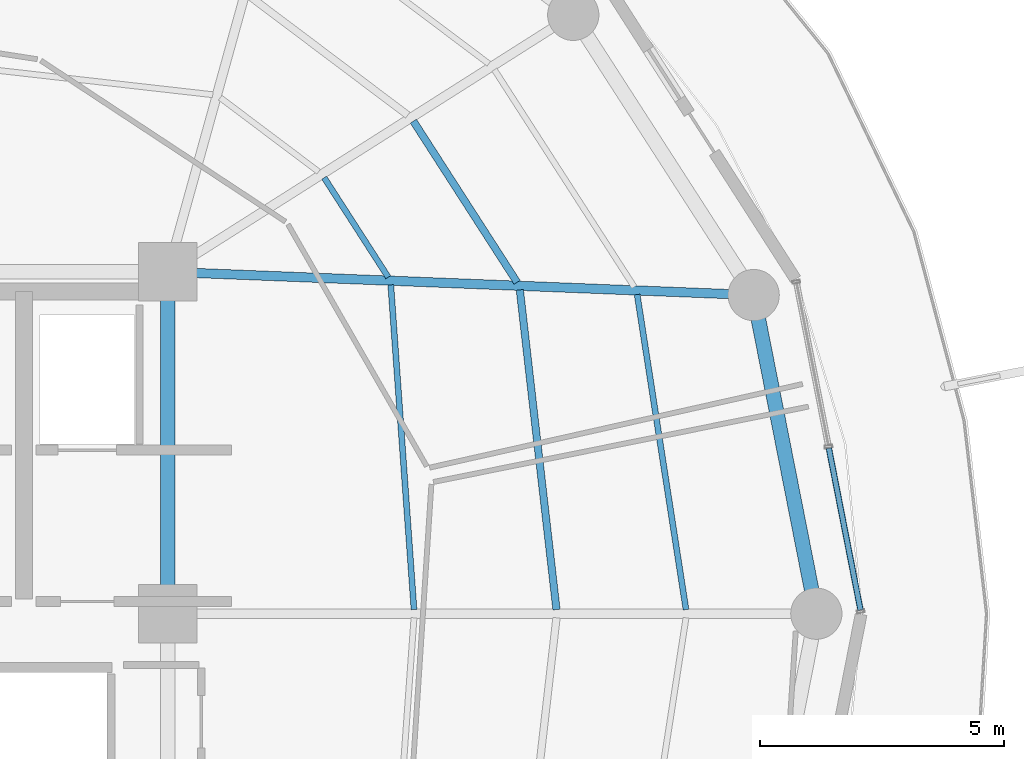
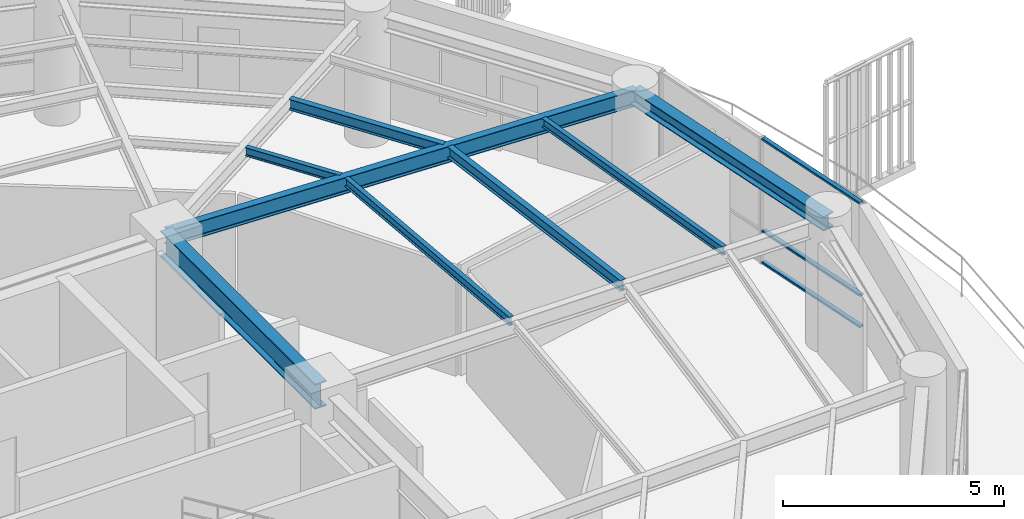
# One storey, part 14 of 30: 8 beams, 3 members, 1 element without a shape of its own.
"""IFC4 building model written with IfcOpenShell, lengths in metres."""

from ifc_helpers import new_model, si_unit, direction, frame, origin, origin_2d, place, context, subcontext, project, spatial, hollow_rectangle, i_section, extrude, material, layer, layer_set, material_profile, profile_set, type_object, element, aggregate, save


model = new_model("IFC4")

# Units and contexts
model_context = context("Model", 3, precision=1e-05, world=origin(), true_north=direction((0.0, 1.0)))
body_context = subcontext(model_context, "Body", "Model", "MODEL_VIEW")
ifc_project = project(units=[si_unit("LENGTHUNIT", "METRE"), si_unit("AREAUNIT", "SQUARE_METRE"), si_unit("VOLUMEUNIT", "CUBIC_METRE"), si_unit("PLANEANGLEUNIT", "RADIAN"), si_unit("MASSUNIT", "GRAM", prefix="KILO")], contexts=[model_context])

# Site, building, storey
site_placement = place(None, origin())
site = spatial("IfcSite", under=ifc_project, at=site_placement, CompositionType="ELEMENT")
building_placement = place(site_placement, origin())
building = spatial("IfcBuilding", under=site, at=building_placement, Name="Kelanora Arch Commons", CompositionType="ELEMENT")
storey_placement = place(building_placement, frame((0.0, 0.0, 204.449951171875)))
storey = spatial("IfcBuildingStorey", under=building, at=storey_placement, Name="L52", CompositionType="ELEMENT", Elevation=204.449951171875)

# Beams
ifc_material_1 = material(Name="Steel S355", Category="steel")
ifc_material_profile_1 = material_profile(ifc_material_1, i_section(OverallWidth=0.300048828125, OverallDepth=0.699951171875, WebThickness=0.01708984375, FlangeThickness=0.031982421875, FilletRadius=0.027099609375, at=origin_2d()), Name="HEB700")
ifc_profile_set_1 = profile_set([ifc_material_profile_1], Name="Steel S355")
beam_type_1 = type_object("IfcBeamType", Name="BM-CORE-HDR", PredefinedType="BEAM", material=ifc_profile_set_1)
beam_1_placement = place(storey_placement, frame((82.0, 58.0, 3.14013671875), z_axis=(0.0, 1.0, 0.0), x_axis=(-1.0, 0.0, 0.0)))
element("IfcBeam", 1, at=beam_1_placement, inside=storey, type_object=beam_type_1, Name="Core Header Beam 04 L52", PredefinedType="BEAM", context=body_context, shape_type="SweptSolid", body=[
    extrude(i_section(OverallWidth=0.300048828125, OverallDepth=0.699951171875, WebThickness=0.01708984375, FlangeThickness=0.031982421875, FilletRadius=0.027099609375, at=origin_2d()), origin(), (0.0, 0.0, 1.0), 7.0),
])
ifc_material_profile_2 = material_profile(ifc_material_1, i_section(OverallWidth=0.14990234375, OverallDepth=0.300048828125, WebThickness=0.007080078125, FlangeThickness=0.0107421875, FilletRadius=0.014892578125, at=origin_2d()), Name="IPE300")
ifc_profile_set_2 = profile_set([ifc_material_profile_2], Name="Steel S355")
beam_type_2 = type_object("IfcBeamType", Name="BM-JST-01", PredefinedType="JOIST", material=ifc_profile_set_2)
beam_2_placement = place(storey_placement, frame((89.958251953125, 58.08447265625, 3.340087890625), z_axis=(-0.113891408177, 0.993493204377, 0.0), x_axis=(-0.993493204377, -0.113891408177, 0.0)))
element("IfcBeam", 2, at=beam_2_placement, inside=storey, type_object=beam_type_2, Name="Secondary Chord Joist BJB-00 L52", PredefinedType="JOIST", context=body_context, shape_type="SweptSolid", body=[
    extrude(i_section(OverallWidth=0.14990234375, OverallDepth=0.300048828125, WebThickness=0.007080078125, FlangeThickness=0.0107421875, FilletRadius=0.014892578125, at=origin_2d()), origin(), (0.0, 0.0, 1.0), 6.589599609375),
])
beam_3_placement = place(storey_placement, frame((89.152099609375, 64.786865234375, 3.340087890625), z_axis=(-0.541411265892, 0.840757896879, 0.0), x_axis=(-0.840757896879, -0.541411265892, 0.0)))
element("IfcBeam", 3, at=beam_3_placement, inside=storey, type_object=beam_type_2, Name="Secondary Chord Joist BJB-02 L52", PredefinedType="JOIST", context=body_context, shape_type="SweptSolid", body=[
    extrude(i_section(OverallWidth=0.14990234375, OverallDepth=0.300048828125, WebThickness=0.007080078125, FlangeThickness=0.0107421875, FilletRadius=0.014892578125, at=origin_2d()), origin(), (0.0, 0.0, 1.0), 3.92529296875),
])
ifc_material_profile_3 = material_profile(ifc_material_1, i_section(OverallWidth=0.1201171875, OverallDepth=0.239990234375, WebThickness=0.006103515625, FlangeThickness=0.009765625, FilletRadius=0.014892578125, at=origin_2d()), Name="IPE240")
ifc_profile_set_3 = profile_set([ifc_material_profile_3], Name="Steel S355")
beam_type_3 = type_object("IfcBeamType", Name="BM-JST-02", PredefinedType="JOIST", material=ifc_profile_set_3)
beam_4_placement = place(storey_placement, frame((87.040283203125, 58.084716796875, 3.3701171875), z_axis=(-0.07133032136, 0.997452748382, 0.0), x_axis=(-0.997452748382, -0.07133032136, 0.0)))
element("IfcBeam", 4, at=beam_4_placement, inside=storey, type_object=beam_type_3, Name="Secondary Chord Joist BJA-00 L52", PredefinedType="JOIST", context=body_context, shape_type="SweptSolid", body=[
    extrude(i_section(OverallWidth=0.1201171875, OverallDepth=0.239990234375, WebThickness=0.006103515625, FlangeThickness=0.009765625, FilletRadius=0.014892578125, at=origin_2d()), origin(), (0.0, 0.0, 1.0), 6.66748046875),
])
beam_5_placement = place(storey_placement, frame((92.611083984375, 58.083984375, 3.3701171875), z_axis=(-0.153256756152, 0.988186402808, 0.0), x_axis=(-0.988186402808, -0.153256756152, 0.0)))
element("IfcBeam", 5, at=beam_5_placement, inside=storey, type_object=beam_type_3, Name="Secondary Chord Joist BJC-00 L52", PredefinedType="JOIST", context=body_context, shape_type="SweptSolid", body=[
    extrude(i_section(OverallWidth=0.1201171875, OverallDepth=0.239990234375, WebThickness=0.006103515625, FlangeThickness=0.009765625, FilletRadius=0.014892578125, at=origin_2d()), origin(), (0.0, 0.0, 1.0), 6.52978515625),
])
beam_6_placement = place(storey_placement, frame((86.5126953125, 64.89111328125, 3.3701171875), z_axis=(-0.541332763503, 0.840808443796, 0.0), x_axis=(-0.840808443796, -0.541332763503, 0.0)))
element("IfcBeam", 6, at=beam_6_placement, inside=storey, type_object=beam_type_3, Name="Secondary Chord Joist BJA-02 L52", PredefinedType="JOIST", context=body_context, shape_type="SweptSolid", body=[
    extrude(i_section(OverallWidth=0.1201171875, OverallDepth=0.239990234375, WebThickness=0.006103515625, FlangeThickness=0.009765625, FilletRadius=0.014892578125, at=origin_2d()), origin(), (0.0, 0.0, 1.0), 2.423583984375),
])
ifc_material_profile_4 = material_profile(ifc_material_1, i_section(OverallWidth=0.18994140625, OverallDepth=0.449951171875, WebThickness=0.009521484375, FlangeThickness=0.0146484375, FilletRadius=0.02099609375, at=origin_2d()), Name="IPE450")
ifc_profile_set_4 = profile_set([ifc_material_profile_4], Name="Steel S355")
beam_type_4 = type_object("IfcBeamType", Name="BM-RAD-Z4", PredefinedType="BEAM", material=ifc_profile_set_4)
beam_7_placement = place(storey_placement, frame((82.0, 65.0, 3.26513671875), z_axis=(0.999219142585, -0.03951082246, 0.0), x_axis=(0.03951082246, 0.999219142585, 0.0)))
element("IfcBeam", 7, at=beam_7_placement, inside=storey, type_object=beam_type_4, Name="Radial Floor Girder BR-02 L52", PredefinedType="BEAM", context=body_context, shape_type="SweptSolid", body=[
    extrude(i_section(OverallWidth=0.18994140625, OverallDepth=0.449951171875, WebThickness=0.009521484375, FlangeThickness=0.0146484375, FilletRadius=0.02099609375, at=origin_2d()), origin(), (0.0, 0.0, 1.0), 12.005859375),
])
ifc_material_profile_5 = material_profile(ifc_material_1, i_section(OverallWidth=0.300048828125, OverallDepth=0.39990234375, WebThickness=0.013427734375, FlangeThickness=0.02392578125, FilletRadius=0.027099609375, at=origin_2d()), Name="HEB400")
ifc_profile_set_5 = profile_set([ifc_material_profile_5], Name="Steel S355")
beam_type_5 = type_object("IfcBeamType", Name="BM-SPN-Z4", PredefinedType="SPANDREL", material=ifc_profile_set_5)
beam_8_placement = place(storey_placement, frame((95.280029296875, 58.0, 3.2900390625), z_axis=(-0.192980724826, 0.981202547819, 0.0), x_axis=(-0.981202547819, -0.192980724826, 0.0)))
element("IfcBeam", 8, at=beam_8_placement, inside=storey, type_object=beam_type_5, Name="Perimeter Spandrel Beam BS-00 L52", PredefinedType="SPANDREL", context=body_context, shape_type="SweptSolid", body=[
    extrude(i_section(OverallWidth=0.300048828125, OverallDepth=0.39990234375, WebThickness=0.013427734375, FlangeThickness=0.02392578125, FilletRadius=0.027099609375, at=origin_2d()), origin(), (0.0, 0.0, 1.0), 6.650634765625),
])

# Curtain wall, members
ifc_material_2 = material(Name="Terracotta ceramic-fritted low-E glass and aluminium", Category="masonry")
ifc_layer = layer(ifc_material_2, 0.175048828125)
ifc_layer_set = layer_set([ifc_layer], Name="Terracotta ceramic-fritted low-E glass and aluminium")
curtain_wall_type = type_object("IfcCurtainWallType", Name="CW-SYS-02", PredefinedType="NOTDEFINED", material=ifc_layer_set)
curtain_wall_placement = place(storey_placement, origin())
curtain_wall = element("IfcCurtainWall", 9, at=curtain_wall_placement, inside=storey, type_object=curtain_wall_type, Name="Unitised Curtain Wall L52-B00", PredefinedType="NOTDEFINED")
ifc_material_3 = material(Name="Powder-coated aluminium terracotta", Category="masonry")
ifc_material_profile_6 = material_profile(ifc_material_3, hollow_rectangle(XDim=0.1201171875, YDim=0.06005859375, WallThickness=0.0048828125, InnerFilletRadius=0.0048828125, OuterFilletRadius=0.010009765625, at=origin_2d()), Name="CWT120x60")
ifc_profile_set_6 = profile_set([ifc_material_profile_6], Name="Powder-coated aluminium terracotta")
member_type = type_object("IfcMemberType", Name="CWT-STD", PredefinedType="USERDEFINED", material=ifc_profile_set_6)
member_1_placement = place(storey_placement, frame((96.185546875, 58.073486328125, 0.030029296875), z_axis=(-0.192044874899, 0.981386145218, 0.0), x_axis=(-0.981386145218, -0.192044874899, 0.0)))
member_1 = element("IfcMember", 10, at=member_1_placement, type_object=member_type, Name="CW-02 transom 1.1", ObjectType="TRANSOM", PredefinedType="USERDEFINED", context=body_context, shape_type="SweptSolid", body=[
    extrude(hollow_rectangle(XDim=0.1201171875, YDim=0.06005859375, WallThickness=0.0048828125, InnerFilletRadius=0.0048828125, OuterFilletRadius=0.010009765625, at=origin_2d()), origin(), (0.0, 0.0, 1.0), 3.38037109375),
])
member_2_placement = place(storey_placement, frame((96.185546875, 58.073486328125, 0.900146484375), z_axis=(-0.192044874899, 0.981386145218, 0.0), x_axis=(-0.981386145218, -0.192044874899, 0.0)))
member_2 = element("IfcMember", 11, at=member_2_placement, type_object=member_type, Name="CW-02 transom 1.2", ObjectType="TRANSOM", PredefinedType="USERDEFINED", context=body_context, shape_type="SweptSolid", body=[
    extrude(hollow_rectangle(XDim=0.1201171875, YDim=0.06005859375, WallThickness=0.0048828125, InnerFilletRadius=0.0048828125, OuterFilletRadius=0.010009765625, at=origin_2d()), origin(), (0.0, 0.0, 1.0), 3.38037109375),
])
member_3_placement = place(storey_placement, frame((96.185546875, 58.073486328125, 3.445068359375), z_axis=(-0.192044874899, 0.981386145218, 0.0), x_axis=(-0.981386145218, -0.192044874899, 0.0)))
member_3 = element("IfcMember", 12, at=member_3_placement, type_object=member_type, Name="CW-02 transom 1.3", ObjectType="TRANSOM", PredefinedType="USERDEFINED", context=body_context, shape_type="SweptSolid", body=[
    extrude(hollow_rectangle(XDim=0.1201171875, YDim=0.06005859375, WallThickness=0.0048828125, InnerFilletRadius=0.0048828125, OuterFilletRadius=0.010009765625, at=origin_2d()), origin(), (0.0, 0.0, 1.0), 3.38037109375),
])
aggregate(curtain_wall, [member_1, member_2, member_3])

save(model, "model.ifc")
